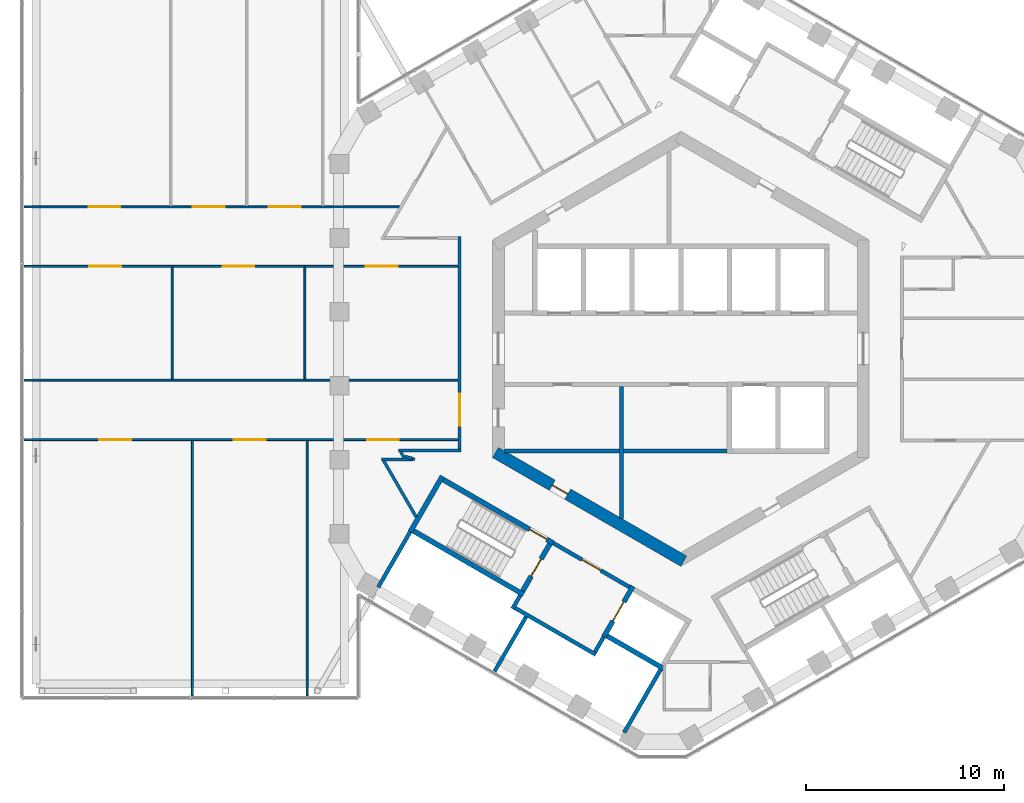
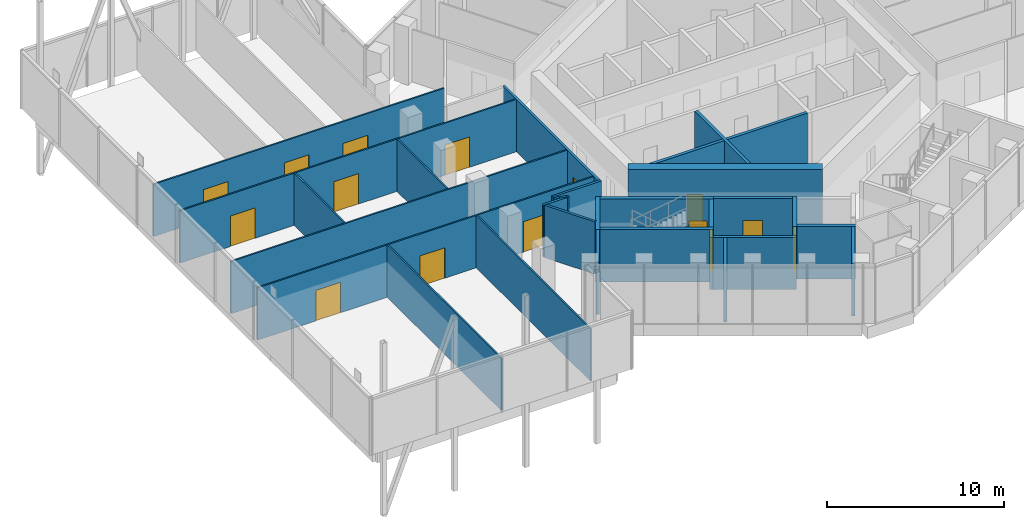
# One storey, part 15 of 21: 31 walls, 15 doors, 15 openings.
"""IFC4 building model written with IfcOpenShell, lengths in metres."""

from ifc_helpers import new_model, si_unit, direction, frame, frame_2d, origin, place, context, subcontext, project, spatial, rectangle, extrude, material, layer, layer_set, type_object, element, fill, save


model = new_model("IFC4")

# Units and contexts
model_context = context("Model", 3, precision=1e-05, world=origin(), true_north=direction((0.0, 1.0)))
body_context = subcontext(model_context, "Body", "Model", "MODEL_VIEW")
ifc_project = project(units=[si_unit("LENGTHUNIT", "METRE"), si_unit("AREAUNIT", "SQUARE_METRE"), si_unit("VOLUMEUNIT", "CUBIC_METRE"), si_unit("PLANEANGLEUNIT", "RADIAN"), si_unit("MASSUNIT", "GRAM", prefix="KILO")], contexts=[model_context])

# Site, building, storey
site_placement = place(None, origin())
site = spatial("IfcSite", under=ifc_project, at=site_placement, CompositionType="ELEMENT")
building_placement = place(site_placement, origin())
building = spatial("IfcBuilding", under=site, at=building_placement, Name="Ayvan Gate Tower", CompositionType="ELEMENT")
storey_placement = place(building_placement, frame((0.0, 0.0, 206.10009765625)))
storey = spatial("IfcBuildingStorey", under=building, at=storey_placement, Name="L55", CompositionType="ELEMENT", Elevation=206.10009765625)

# Wall, opening, door
ifc_material_1 = material(Name="Concrete C60/75", Category="concrete")
ifc_layer_1 = layer(ifc_material_1, 0.60009765625)
ifc_layer_set_1 = layer_set([ifc_layer_1], Name="Concrete C60/75")
wall_type_1 = type_object("IfcWallType", Name="Core wall 600 C60/75", PredefinedType="SHEAR", material=ifc_layer_set_1)
wall_1_placement = place(storey_placement, frame((-9.35009765625, -5.22509765625, 0.0), z_axis=(0.0, 0.0, 1.0), x_axis=(0.866023993627, -0.500002442456, 0.0)))
wall_1 = element("IfcWall", 1, at=wall_1_placement, inside=storey, type_object=wall_type_1, Name="CORE-L55-4", PredefinedType="SHEAR", context=body_context, shape_type="SweptSolid", body=[
    extrude(rectangle(XDim=10.9697265625, YDim=0.60009765625, at=frame_2d((5.48486328125, 0.0))), origin(), (0.0, 0.0, 1.0), 4.0),
])
opening_1_placement = place(wall_1_placement, frame((3.31494140625, 0.0, 0.0)))
opening_1 = element("IfcOpeningElement", 2, at=opening_1_placement, cuts=wall_1, Name="Opening L55-D49", PredefinedType="OPENING", context=body_context, shape_type="SweptSolid", body=[
    extrude(rectangle(XDim=0.89990234375, YDim=2.10009765625, at=frame_2d((0.449951171875, 1.050048828125))), frame((0.0, 0.31005859375, 0.0), z_axis=(0.0, -1.0, 0.0), x_axis=(1.0, 0.0, 0.0)), (0.0, 0.0, 1.0), 0.6201171875),
])
ifc_material_2 = material(Name="Timber door leaf", Category="wood")
door_type_1 = type_object("IfcDoorType", Name="DT-900", OperationType="NOTDEFINED", PredefinedType="DOOR", material=ifc_material_2)
door_1_placement = place(opening_1_placement, origin())
door_1 = element("IfcDoor", 3, at=door_1_placement, inside=storey, type_object=door_type_1, Name="CD-L55-49", OperationType="SINGLE_SWING_RIGHT", OverallHeight=2.10009765625, OverallWidth=0.89990234375, PredefinedType="DOOR", context=body_context, shape_type="SweptSolid", body=[
    extrude(rectangle(XDim=0.89990234375, YDim=2.10009765625, at=frame_2d((0.449951171875, 1.050048828125))), frame((0.0, 0.02490234375, 0.0), z_axis=(0.0, -1.0, 0.0), x_axis=(1.0, 0.0, 0.0)), (0.0, 0.0, 1.0), 0.050048828125),
])
fill(opening_1, door_1)

# Walls
ifc_material_3 = material(Name="Plasterboard on steel stud", Category="steel")
ifc_layer_2 = layer(ifc_material_3, 0.14990234375)
ifc_layer_set_2 = layer_set([ifc_layer_2], Name="Plasterboard on steel stud")
wall_type_2 = type_object("IfcWallType", Name="WT-CORR-150", PredefinedType="PARTITIONING", material=ifc_layer_set_2)
wall_2_placement = place(storey_placement, frame((-15.093017578125, -5.583740234375, 0.0), z_axis=(0.0, 0.0, 1.0), x_axis=(1.0, 0.0, 0.0)))
element("IfcWall", 4, at=wall_2_placement, inside=storey, type_object=wall_type_2, Name="IW-L55-013", PredefinedType="PARTITIONING", context=body_context, shape_type="SweptSolid", body=[
    extrude(rectangle(XDim=1.556396484375, YDim=0.14990234375, at=frame_2d((0.7783203125, 0.0))), origin(), (0.0, 0.0, 1.0), 3.599853515625),
])
wall_3_placement = place(storey_placement, frame((-14.240478515625, -5.1337890625, 0.0), z_axis=(0.0, 0.0, 1.0), x_axis=(1.0, 0.0, 0.0)))
element("IfcWall", 5, at=wall_3_placement, inside=storey, type_object=wall_type_2, Name="IW-L55-014", PredefinedType="PARTITIONING", context=body_context, shape_type="SweptSolid", body=[
    extrude(rectangle(XDim=3.16552734375, YDim=0.14990234375, at=frame_2d((1.582763671875, 0.0))), origin(), (0.0, 0.0, 1.0), 3.599853515625),
])
wall_4_placement = place(storey_placement, frame((-13.96142578125, -5.472412109375, 0.0), z_axis=(0.0, 0.0, 1.0), x_axis=(-0.51651090313, 0.856280612269, 0.0)))
element("IfcWall", 6, at=wall_4_placement, inside=storey, type_object=wall_type_2, Name="IW-L55-015", PredefinedType="PARTITIONING", context=body_context, shape_type="SweptSolid", body=[
    extrude(rectangle(XDim=0.320556640625, YDim=0.14990234375, at=frame_2d((0.16015625, 0.0))), origin(), (0.0, 0.0, 1.0), 3.599853515625),
])
wall_5_placement = place(storey_placement, frame((-13.527099609375, -5.529296875, 0.0), z_axis=(0.0, 0.0, 1.0), x_axis=(-0.968736704431, 0.248091107232, 0.0)))
element("IfcWall", 7, at=wall_5_placement, inside=storey, type_object=wall_type_2, Name="IW-L55-017", PredefinedType="PARTITIONING", context=body_context, shape_type="SweptSolid", body=[
    extrude(rectangle(XDim=0.413330078125, YDim=0.14990234375, at=frame_2d((0.20654296875, 0.0))), origin(), (0.0, 0.0, 1.0), 3.599853515625),
])
wall_6_placement = place(storey_placement, frame((-13.415771484375, -5.576171875, 0.0), z_axis=(0.0, 0.0, 1.0), x_axis=(-0.968907106081, 0.247424776016, 0.0)))
element("IfcWall", 8, at=wall_6_placement, inside=storey, type_object=wall_type_2, Name="IW-L55-018", PredefinedType="PARTITIONING", context=body_context, shape_type="SweptSolid", body=[
    extrude(rectangle(XDim=0.117431640625, YDim=0.14990234375, at=frame_2d((0.05859375, 0.0))), origin(), (0.0, 0.0, 1.0), 3.599853515625),
])
wall_7_placement = place(storey_placement, frame((-13.34033203125, -8.489501953125, 0.0), z_axis=(0.0, 0.0, 1.0), x_axis=(-0.499997335587, 0.866026942079, 0.0)))
element("IfcWall", 9, at=wall_7_placement, inside=storey, type_object=wall_type_2, Name="IW-L55-019", PredefinedType="PARTITIONING", context=body_context, shape_type="SweptSolid", body=[
    extrude(rectangle(XDim=3.2802734375, YDim=0.14990234375, at=frame_2d((1.64013671875, 0.0))), origin(), (0.0, 0.0, 1.0), 3.599853515625),
])

# Wall, opening, door
wall_8_placement = place(storey_placement, frame((-11.14990234375, 5.65869140625, 0.0), z_axis=(0.0, 0.0, 1.0), x_axis=(0.0, -1.0, 0.0)))
wall_8 = element("IfcWall", 10, at=wall_8_placement, inside=storey, type_object=wall_type_2, Name="IW-L55-023", PredefinedType="PARTITIONING", context=body_context, shape_type="SweptSolid", body=[
    extrude(rectangle(XDim=10.71728515625, YDim=0.14990234375, at=frame_2d((5.358642578125, 0.0))), origin(), (0.0, 0.0, 1.0), 3.599853515625),
])
opening_2_placement = place(wall_8_placement, frame((7.93701171875, 0.0, 0.0)))
opening_2 = element("IfcOpeningElement", 11, at=opening_2_placement, cuts=wall_8, Name="Opening L55-D36", PredefinedType="OPENING", context=body_context, shape_type="SweptSolid", body=[
    extrude(rectangle(XDim=1.60009765625, YDim=2.10009765625, at=frame_2d((0.800048828125, 1.050048828125))), frame((0.0, 0.0849609375, 0.0), z_axis=(0.0, -1.0, 0.0), x_axis=(1.0, 0.0, 0.0)), (0.0, 0.0, 1.0), 0.169921875),
])
door_type_2 = type_object("IfcDoorType", Name="DT-1600", OperationType="NOTDEFINED", PredefinedType="DOOR", material=ifc_material_2)
door_2_placement = place(opening_2_placement, origin())
door_2 = element("IfcDoor", 12, at=door_2_placement, inside=storey, type_object=door_type_2, Name="ID-L55-036", OperationType="SINGLE_SWING_LEFT", OverallHeight=2.10009765625, OverallWidth=1.60009765625, PredefinedType="DOOR", context=body_context, shape_type="SweptSolid", body=[
    extrude(rectangle(XDim=1.60009765625, YDim=2.10009765625, at=frame_2d((0.800048828125, 1.050048828125))), frame((0.0, 0.02490234375, 0.0), z_axis=(0.0, -1.0, 0.0), x_axis=(1.0, 0.0, 0.0)), (0.0, 0.0, 1.0), 0.050048828125),
])
fill(opening_2, door_2)

# Wall
ifc_layer_3 = layer(ifc_material_3, 0.10009765625)
ifc_layer_set_3 = layer_set([ifc_layer_3], Name="Plasterboard on steel stud")
wall_type_3 = type_object("IfcWallType", Name="WT-PART-100", PredefinedType="PARTITIONING", material=ifc_layer_set_3)
wall_9_placement = place(storey_placement, frame((-33.120361328125, -1.578125, 0.0), z_axis=(0.0, 0.0, 1.0), x_axis=(1.0, 0.0, 0.0)))
element("IfcWall", 13, at=wall_9_placement, inside=storey, type_object=wall_type_3, Name="IW-L55-000", PredefinedType="PARTITIONING", context=body_context, shape_type="SweptSolid", body=[
    extrude(rectangle(XDim=21.895263671875, YDim=0.10009765625, at=frame_2d((10.94775390625, 0.0))), origin(), (0.0, 0.0, 1.0), 3.599853515625),
])

# Wall, openings, doors
wall_10_placement = place(storey_placement, frame((-33.120361328125, 7.163330078125, 0.0), z_axis=(0.0, 0.0, 1.0), x_axis=(1.0, 0.0, 0.0)))
wall_10 = element("IfcWall", 14, at=wall_10_placement, inside=storey, type_object=wall_type_3, Name="IW-L55-001", PredefinedType="PARTITIONING", context=body_context, shape_type="SweptSolid", body=[
    extrude(rectangle(XDim=18.939453125, YDim=0.10009765625, at=frame_2d((9.4697265625, 0.0))), origin(), (0.0, 0.0, 1.0), 3.599853515625),
])
opening_3_placement = place(wall_10_placement, frame((12.35009765625, 0.0, 0.0)))
opening_3 = element("IfcOpeningElement", 15, at=opening_3_placement, cuts=wall_10, Name="Opening L55-D38", PredefinedType="OPENING", context=body_context, shape_type="SweptSolid", body=[
    extrude(rectangle(XDim=1.60009765625, YDim=2.10009765625, at=frame_2d((0.800048828125, 1.050048828125))), frame((0.0, 0.06005859375, 0.0), z_axis=(0.0, -1.0, 0.0), x_axis=(1.0, 0.0, 0.0)), (0.0, 0.0, 1.0), 0.1201171875),
])
opening_4_placement = place(wall_10_placement, frame((8.516357421875, 0.0, 0.0)))
opening_4 = element("IfcOpeningElement", 16, at=opening_4_placement, cuts=wall_10, Name="Opening L55-D39", PredefinedType="OPENING", context=body_context, shape_type="SweptSolid", body=[
    extrude(rectangle(XDim=1.60009765625, YDim=2.10009765625, at=frame_2d((0.800048828125, 1.050048828125))), frame((0.0, 0.06005859375, 0.0), z_axis=(0.0, -1.0, 0.0), x_axis=(1.0, 0.0, 0.0)), (0.0, 0.0, 1.0), 0.1201171875),
])
opening_5_placement = place(wall_10_placement, frame((3.2578125, 0.0, 0.0)))
opening_5 = element("IfcOpeningElement", 17, at=opening_5_placement, cuts=wall_10, Name="Opening L55-D40", PredefinedType="OPENING", context=body_context, shape_type="SweptSolid", body=[
    extrude(rectangle(XDim=1.60009765625, YDim=2.10009765625, at=frame_2d((0.800048828125, 1.050048828125))), frame((0.0, 0.06005859375, 0.0), z_axis=(0.0, -1.0, 0.0), x_axis=(1.0, 0.0, 0.0)), (0.0, 0.0, 1.0), 0.1201171875),
])
door_3_placement = place(opening_3_placement, origin())
door_3 = element("IfcDoor", 18, at=door_3_placement, inside=storey, type_object=door_type_2, Name="ID-L55-038", OperationType="SINGLE_SWING_LEFT", OverallHeight=2.10009765625, OverallWidth=1.60009765625, PredefinedType="DOOR", context=body_context, shape_type="SweptSolid", body=[
    extrude(rectangle(XDim=1.60009765625, YDim=2.10009765625, at=frame_2d((0.800048828125, 1.050048828125))), frame((0.0, 0.02490234375, 0.0), z_axis=(0.0, -1.0, 0.0), x_axis=(1.0, 0.0, 0.0)), (0.0, 0.0, 1.0), 0.050048828125),
])
fill(opening_3, door_3)
door_4_placement = place(opening_4_placement, origin())
door_4 = element("IfcDoor", 19, at=door_4_placement, inside=storey, type_object=door_type_2, Name="ID-L55-039", OperationType="SINGLE_SWING_RIGHT", OverallHeight=2.10009765625, OverallWidth=1.60009765625, PredefinedType="DOOR", context=body_context, shape_type="SweptSolid", body=[
    extrude(rectangle(XDim=1.60009765625, YDim=2.10009765625, at=frame_2d((0.800048828125, 1.050048828125))), frame((0.0, 0.02490234375, 0.0), z_axis=(0.0, -1.0, 0.0), x_axis=(1.0, 0.0, 0.0)), (0.0, 0.0, 1.0), 0.050048828125),
])
fill(opening_4, door_4)
door_5_placement = place(opening_5_placement, origin())
door_5 = element("IfcDoor", 20, at=door_5_placement, inside=storey, type_object=door_type_2, Name="ID-L55-040", OperationType="SINGLE_SWING_LEFT", OverallHeight=2.10009765625, OverallWidth=1.60009765625, PredefinedType="DOOR", context=body_context, shape_type="SweptSolid", body=[
    extrude(rectangle(XDim=1.60009765625, YDim=2.10009765625, at=frame_2d((0.800048828125, 1.050048828125))), frame((0.0, 0.02490234375, 0.0), z_axis=(0.0, -1.0, 0.0), x_axis=(1.0, 0.0, 0.0)), (0.0, 0.0, 1.0), 0.050048828125),
])
fill(opening_5, door_5)

# Wall
wall_11_placement = place(storey_placement, frame((-25.6474609375, -1.5283203125, 0.0), z_axis=(0.0, 0.0, 1.0), x_axis=(0.0, 1.0, 0.0)))
element("IfcWall", 21, at=wall_11_placement, inside=storey, type_object=wall_type_3, Name="IW-L55-003", PredefinedType="PARTITIONING", context=body_context, shape_type="SweptSolid", body=[
    extrude(rectangle(XDim=5.6416015625, YDim=0.10009765625, at=frame_2d((2.82080078125, 0.0))), origin(), (0.0, 0.0, 1.0), 3.599853515625),
])

# Wall, openings, doors
wall_12_placement = place(storey_placement, frame((-33.120361328125, 4.163330078125, 0.0), z_axis=(0.0, 0.0, 1.0), x_axis=(1.0, 0.0, 0.0)))
wall_12 = element("IfcWall", 22, at=wall_12_placement, inside=storey, type_object=wall_type_3, Name="IW-L55-004", PredefinedType="PARTITIONING", context=body_context, shape_type="SweptSolid", body=[
    extrude(rectangle(XDim=21.895263671875, YDim=0.10009765625, at=frame_2d((10.94775390625, 0.0))), origin(), (0.0, 0.0, 1.0), 3.599853515625),
])
opening_6_placement = place(wall_12_placement, frame((17.244140625, 0.0, 0.0)))
opening_6 = element("IfcOpeningElement", 23, at=opening_6_placement, cuts=wall_12, Name="Opening L55-D44", PredefinedType="OPENING", context=body_context, shape_type="SweptSolid", body=[
    extrude(rectangle(XDim=1.60009765625, YDim=2.10009765625, at=frame_2d((0.800048828125, 1.050048828125))), frame((0.0, 0.06005859375, 0.0), z_axis=(0.0, -1.0, 0.0), x_axis=(1.0, 0.0, 0.0)), (0.0, 0.0, 1.0), 0.1201171875),
])
opening_7_placement = place(wall_12_placement, frame((10.017822265625, 0.0, 0.0)))
opening_7 = element("IfcOpeningElement", 24, at=opening_7_placement, cuts=wall_12, Name="Opening L55-D45", PredefinedType="OPENING", context=body_context, shape_type="SweptSolid", body=[
    extrude(rectangle(XDim=1.60009765625, YDim=2.10009765625, at=frame_2d((0.800048828125, 1.050048828125))), frame((0.0, 0.06005859375, 0.0), z_axis=(0.0, -1.0, 0.0), x_axis=(1.0, 0.0, 0.0)), (0.0, 0.0, 1.0), 0.1201171875),
])
opening_8_placement = place(wall_12_placement, frame((3.29443359375, 0.0, 0.0)))
opening_8 = element("IfcOpeningElement", 25, at=opening_8_placement, cuts=wall_12, Name="Opening L55-D46", PredefinedType="OPENING", context=body_context, shape_type="SweptSolid", body=[
    extrude(rectangle(XDim=1.60009765625, YDim=2.10009765625, at=frame_2d((0.800048828125, 1.050048828125))), frame((0.0, 0.06005859375, 0.0), z_axis=(0.0, -1.0, 0.0), x_axis=(1.0, 0.0, 0.0)), (0.0, 0.0, 1.0), 0.1201171875),
])
door_6_placement = place(opening_6_placement, origin())
door_6 = element("IfcDoor", 26, at=door_6_placement, inside=storey, type_object=door_type_2, Name="ID-L55-044", OperationType="SINGLE_SWING_LEFT", OverallHeight=2.10009765625, OverallWidth=1.60009765625, PredefinedType="DOOR", context=body_context, shape_type="SweptSolid", body=[
    extrude(rectangle(XDim=1.60009765625, YDim=2.10009765625, at=frame_2d((0.800048828125, 1.050048828125))), frame((0.0, 0.02490234375, 0.0), z_axis=(0.0, -1.0, 0.0), x_axis=(1.0, 0.0, 0.0)), (0.0, 0.0, 1.0), 0.050048828125),
])
fill(opening_6, door_6)
door_7_placement = place(opening_7_placement, origin())
door_7 = element("IfcDoor", 27, at=door_7_placement, inside=storey, type_object=door_type_2, Name="ID-L55-045", OperationType="SINGLE_SWING_RIGHT", OverallHeight=2.10009765625, OverallWidth=1.60009765625, PredefinedType="DOOR", context=body_context, shape_type="SweptSolid", body=[
    extrude(rectangle(XDim=1.60009765625, YDim=2.10009765625, at=frame_2d((0.800048828125, 1.050048828125))), frame((0.0, 0.02490234375, 0.0), z_axis=(0.0, -1.0, 0.0), x_axis=(1.0, 0.0, 0.0)), (0.0, 0.0, 1.0), 0.050048828125),
])
fill(opening_7, door_7)
door_8_placement = place(opening_8_placement, origin())
door_8 = element("IfcDoor", 28, at=door_8_placement, inside=storey, type_object=door_type_2, Name="ID-L55-046", OperationType="SINGLE_SWING_LEFT", OverallHeight=2.10009765625, OverallWidth=1.60009765625, PredefinedType="DOOR", context=body_context, shape_type="SweptSolid", body=[
    extrude(rectangle(XDim=1.60009765625, YDim=2.10009765625, at=frame_2d((0.800048828125, 1.050048828125))), frame((0.0, 0.02490234375, 0.0), z_axis=(0.0, -1.0, 0.0), x_axis=(1.0, 0.0, 0.0)), (0.0, 0.0, 1.0), 0.050048828125),
])
fill(opening_8, door_8)

# Wall
wall_13_placement = place(storey_placement, frame((-24.635986328125, -17.49609375, 0.0), z_axis=(0.0, 0.0, 1.0), x_axis=(0.0, 1.0, 0.0)))
element("IfcWall", 29, at=wall_13_placement, inside=storey, type_object=wall_type_3, Name="IW-L55-005", PredefinedType="PARTITIONING", context=body_context, shape_type="SweptSolid", body=[
    extrude(rectangle(XDim=12.867919921875, YDim=0.10009765625, at=frame_2d((6.43408203125, 0.0))), origin(), (0.0, 0.0, 1.0), 3.599853515625),
])

# Wall, openings, doors
wall_14_placement = place(storey_placement, frame((-33.120361328125, -4.578125, 0.0), z_axis=(0.0, 0.0, 1.0), x_axis=(1.0, 0.0, 0.0)))
wall_14 = element("IfcWall", 30, at=wall_14_placement, inside=storey, type_object=wall_type_3, Name="IW-L55-006", PredefinedType="PARTITIONING", context=body_context, shape_type="SweptSolid", body=[
    extrude(rectangle(XDim=21.895263671875, YDim=0.10009765625, at=frame_2d((10.94775390625, 0.0))), origin(), (0.0, 0.0, 1.0), 3.599853515625),
])
opening_9_placement = place(wall_14_placement, frame((17.30224609375, 0.0, 0.0)))
opening_9 = element("IfcOpeningElement", 31, at=opening_9_placement, cuts=wall_14, Name="Opening L55-D41", PredefinedType="OPENING", context=body_context, shape_type="SweptSolid", body=[
    extrude(rectangle(XDim=1.60009765625, YDim=2.10009765625, at=frame_2d((0.800048828125, 1.050048828125))), frame((0.0, 0.06005859375, 0.0), z_axis=(0.0, -1.0, 0.0), x_axis=(1.0, 0.0, 0.0)), (0.0, 0.0, 1.0), 0.1201171875),
])
opening_10_placement = place(wall_14_placement, frame((10.58154296875, 0.0, 0.0)))
opening_10 = element("IfcOpeningElement", 32, at=opening_10_placement, cuts=wall_14, Name="Opening L55-D42", PredefinedType="OPENING", context=body_context, shape_type="SweptSolid", body=[
    extrude(rectangle(XDim=1.60009765625, YDim=2.10009765625, at=frame_2d((0.800048828125, 1.050048828125))), frame((0.0, 0.06005859375, 0.0), z_axis=(0.0, -1.0, 0.0), x_axis=(1.0, 0.0, 0.0)), (0.0, 0.0, 1.0), 0.1201171875),
])
opening_11_placement = place(wall_14_placement, frame((3.800048828125, 0.0, 0.0)))
opening_11 = element("IfcOpeningElement", 33, at=opening_11_placement, cuts=wall_14, Name="Opening L55-D43", PredefinedType="OPENING", context=body_context, shape_type="SweptSolid", body=[
    extrude(rectangle(XDim=1.60009765625, YDim=2.10009765625, at=frame_2d((0.800048828125, 1.050048828125))), frame((0.0, 0.06005859375, 0.0), z_axis=(0.0, -1.0, 0.0), x_axis=(1.0, 0.0, 0.0)), (0.0, 0.0, 1.0), 0.1201171875),
])
door_9_placement = place(opening_9_placement, origin())
door_9 = element("IfcDoor", 34, at=door_9_placement, inside=storey, type_object=door_type_2, Name="ID-L55-041", OperationType="SINGLE_SWING_RIGHT", OverallHeight=2.10009765625, OverallWidth=1.60009765625, PredefinedType="DOOR", context=body_context, shape_type="SweptSolid", body=[
    extrude(rectangle(XDim=1.60009765625, YDim=2.10009765625, at=frame_2d((0.800048828125, 1.050048828125))), frame((0.0, 0.02490234375, 0.0), z_axis=(0.0, -1.0, 0.0), x_axis=(1.0, 0.0, 0.0)), (0.0, 0.0, 1.0), 0.050048828125),
])
fill(opening_9, door_9)
door_10_placement = place(opening_10_placement, origin())
door_10 = element("IfcDoor", 35, at=door_10_placement, inside=storey, type_object=door_type_2, Name="ID-L55-042", OperationType="SINGLE_SWING_LEFT", OverallHeight=2.10009765625, OverallWidth=1.60009765625, PredefinedType="DOOR", context=body_context, shape_type="SweptSolid", body=[
    extrude(rectangle(XDim=1.60009765625, YDim=2.10009765625, at=frame_2d((0.800048828125, 1.050048828125))), frame((0.0, 0.02490234375, 0.0), z_axis=(0.0, -1.0, 0.0), x_axis=(1.0, 0.0, 0.0)), (0.0, 0.0, 1.0), 0.050048828125),
])
fill(opening_10, door_10)
door_11_placement = place(opening_11_placement, origin())
door_11 = element("IfcDoor", 36, at=door_11_placement, inside=storey, type_object=door_type_2, Name="ID-L55-043", OperationType="SINGLE_SWING_RIGHT", OverallHeight=2.10009765625, OverallWidth=1.60009765625, PredefinedType="DOOR", context=body_context, shape_type="SweptSolid", body=[
    extrude(rectangle(XDim=1.60009765625, YDim=2.10009765625, at=frame_2d((0.800048828125, 1.050048828125))), frame((0.0, 0.02490234375, 0.0), z_axis=(0.0, -1.0, 0.0), x_axis=(1.0, 0.0, 0.0)), (0.0, 0.0, 1.0), 0.050048828125),
])
fill(opening_11, door_11)

# Walls
wall_15_placement = place(storey_placement, frame((-18.957275390625, -1.5283203125, 0.0), z_axis=(0.0, 0.0, 1.0), x_axis=(0.0, 1.0, 0.0)))
element("IfcWall", 37, at=wall_15_placement, inside=storey, type_object=wall_type_3, Name="IW-L55-008", PredefinedType="PARTITIONING", context=body_context, shape_type="SweptSolid", body=[
    extrude(rectangle(XDim=5.6416015625, YDim=0.10009765625, at=frame_2d((2.82080078125, 0.0))), origin(), (0.0, 0.0, 1.0), 3.599853515625),
])
wall_16_placement = place(storey_placement, frame((-18.84130859375, -17.49609375, 0.0), z_axis=(0.0, 0.0, 1.0), x_axis=(0.0, 1.0, 0.0)))
element("IfcWall", 38, at=wall_16_placement, inside=storey, type_object=wall_type_3, Name="IW-L55-009", PredefinedType="PARTITIONING", context=body_context, shape_type="SweptSolid", body=[
    extrude(rectangle(XDim=12.867919921875, YDim=0.10009765625, at=frame_2d((6.43408203125, 0.0))), origin(), (0.0, 0.0, 1.0), 3.599853515625),
])
ifc_layer_4 = layer(ifc_material_3, 0.199951171875)
ifc_layer_set_4 = layer_set([ifc_layer_4], Name="Plasterboard on steel stud")
wall_type_4 = type_object("IfcWallType", Name="WT-PLUMB-200", PredefinedType="PLUMBINGWALL", material=ifc_layer_set_4)
wall_17_placement = place(storey_placement, frame((-15.253662109375, -12.020263671875, 0.0), z_axis=(0.0, 0.0, 1.0), x_axis=(0.499957148214, 0.866050142861, 0.0)))
element("IfcWall", 39, at=wall_17_placement, inside=storey, type_object=wall_type_4, Name="IW-L55-011", PredefinedType="PLUMBINGWALL", context=body_context, shape_type="SweptSolid", body=[
    extrude(rectangle(XDim=3.211669921875, YDim=0.199951171875, at=frame_2d((1.60595703125, 0.0))), origin(), (0.0, 0.0, 1.0), 3.599853515625),
])
wall_18_placement = place(storey_placement, frame((-8.492919921875, -13.110107421875, 0.0), z_axis=(0.0, 0.0, 1.0), x_axis=(0.500067724834, 0.865986299303, 0.0)))
element("IfcWall", 40, at=wall_18_placement, inside=storey, type_object=wall_type_4, Name="IW-L55-028", PredefinedType="PLUMBINGWALL", context=body_context, shape_type="SweptSolid", body=[
    extrude(rectangle(XDim=0.775390625, YDim=0.199951171875, at=frame_2d((0.3876953125, 0.0))), origin(), (0.0, 0.0, 1.0), 3.599853515625),
])
wall_19_placement = place(storey_placement, frame((-7.800048828125, -13.510009765625, 0.0), z_axis=(0.0, 0.0, 1.0), x_axis=(-0.500016846771, -0.866015677078, 0.0)))
element("IfcWall", 41, at=wall_19_placement, inside=storey, type_object=wall_type_4, Name="IW-L55-030", PredefinedType="PLUMBINGWALL", context=body_context, shape_type="SweptSolid", body=[
    extrude(rectangle(XDim=3.1826171875, YDim=0.199951171875, at=frame_2d((1.59130859375, 0.0))), origin(), (0.0, 0.0, 1.0), 3.599853515625),
])
wall_20_placement = place(storey_placement, frame((-8.356201171875, -13.073486328125, 0.0), z_axis=(0.0, 0.0, 1.0), x_axis=(0.866038532462, -0.499977259774, 0.0)))
element("IfcWall", 42, at=wall_20_placement, inside=storey, type_object=wall_type_4, Name="IW-L55-031", PredefinedType="PLUMBINGWALL", context=body_context, shape_type="SweptSolid", body=[
    extrude(rectangle(XDim=4.699951171875, YDim=0.199951171875, at=frame_2d((2.35009765625, 0.0))), origin(), (0.0, 0.0, 1.0), 3.599853515625),
])
wall_21_placement = place(storey_placement, frame((-3.885009765625, -14.52880859375, 0.0), z_axis=(0.0, 0.0, 1.0), x_axis=(-0.499859285417, -0.866106630146, 0.0)))
element("IfcWall", 43, at=wall_21_placement, inside=storey, type_object=wall_type_4, Name="IW-L55-041", PredefinedType="PLUMBINGWALL", context=body_context, shape_type="SweptSolid", body=[
    extrude(rectangle(XDim=0.875244140625, YDim=0.199951171875, at=frame_2d((0.4375, 0.0))), origin(), (0.0, 0.0, 1.0), 3.599853515625),
])
wall_22_placement = place(storey_placement, frame((-1.027099609375, -16.178955078125, 0.0), z_axis=(0.0, 0.0, 1.0), x_axis=(-0.499989866495, -0.866031254287, 0.0)))
element("IfcWall", 44, at=wall_22_placement, inside=storey, type_object=wall_type_4, Name="IW-L55-052", PredefinedType="PLUMBINGWALL", context=body_context, shape_type="SweptSolid", body=[
    extrude(rectangle(XDim=3.66162109375, YDim=0.199951171875, at=frame_2d((1.830810546875, 0.0))), origin(), (0.0, 0.0, 1.0), 3.599853515625),
])
ifc_layer_5 = layer(ifc_material_3, 0.199951171875)
ifc_layer_set_5 = layer_set([ifc_layer_5], Name="Plasterboard on steel stud")
wall_type_5 = type_object("IfcWallType", Name="WT-RATED-200", PredefinedType="PARTITIONING", material=ifc_layer_set_5)
wall_23_placement = place(storey_placement, frame((-8.8798828125, -5.14990234375, 0.0), z_axis=(0.0, 0.0, 1.0), x_axis=(1.0, 0.0, 0.0)))
element("IfcWall", 45, at=wall_23_placement, inside=storey, type_object=wall_type_5, Name="IW-L55-027", PredefinedType="PARTITIONING", context=body_context, shape_type="SweptSolid", body=[
    extrude(rectangle(XDim=11.205078125, YDim=0.199951171875, at=frame_2d((5.6025390625, 0.0))), origin(), (0.0, 0.0, 1.0), 3.599853515625),
])

# Wall, opening, door
wall_24_placement = place(storey_placement, frame((-6.4345703125, -9.794921875, 0.0), z_axis=(0.0, 0.0, 1.0), x_axis=(0.866012907634, -0.500021643343, 0.0)))
wall_24 = element("IfcWall", 46, at=wall_24_placement, inside=storey, type_object=wall_type_5, Name="IW-L55-037", PredefinedType="PARTITIONING", context=body_context, shape_type="SweptSolid", body=[
    extrude(rectangle(XDim=4.449951171875, YDim=0.199951171875, at=frame_2d((2.22509765625, 0.0))), origin(), (0.0, 0.0, 1.0), 3.599853515625),
])
opening_12_placement = place(wall_24_placement, frame((1.675048828125, 0.0, 0.0)))
opening_12 = element("IfcOpeningElement", 47, at=opening_12_placement, cuts=wall_24, Name="Opening L55-D16", PredefinedType="OPENING", context=body_context, shape_type="SweptSolid", body=[
    extrude(rectangle(XDim=1.10009765625, YDim=2.10009765625, at=frame_2d((0.550048828125, 1.050048828125))), frame((0.0, 0.10986328125, 0.0), z_axis=(0.0, -1.0, 0.0), x_axis=(1.0, 0.0, 0.0)), (0.0, 0.0, 1.0), 0.219970703125),
])
door_type_3 = type_object("IfcDoorType", Name="DT-1100", OperationType="NOTDEFINED", PredefinedType="DOOR", material=ifc_material_2)
door_12_placement = place(opening_12_placement, origin())
door_12 = element("IfcDoor", 48, at=door_12_placement, inside=storey, type_object=door_type_3, Name="ID-L55-016", OperationType="SINGLE_SWING_LEFT", OverallHeight=2.10009765625, OverallWidth=1.10009765625, PredefinedType="DOOR", context=body_context, shape_type="SweptSolid", body=[
    extrude(rectangle(XDim=1.10009765625, YDim=2.10009765625, at=frame_2d((0.550048828125, 1.050048828125))), frame((0.0, 0.02490234375, 0.0), z_axis=(0.0, -1.0, 0.0), x_axis=(1.0, 0.0, 0.0)), (0.0, 0.0, 1.0), 0.050048828125),
])
fill(opening_12, door_12)

# Walls
wall_25_placement = place(storey_placement, frame((-3.0, -8.544921875, 0.0), z_axis=(0.0, 0.0, 1.0), x_axis=(0.0, 1.0, 0.0)))
element("IfcWall", 49, at=wall_25_placement, inside=storey, type_object=wall_type_5, Name="IW-L55-044", PredefinedType="PARTITIONING", context=body_context, shape_type="SweptSolid", body=[
    extrude(rectangle(XDim=6.64501953125, YDim=0.199951171875, at=frame_2d((3.322509765625, 0.0))), origin(), (0.0, 0.0, 1.0), 3.599853515625),
])
ifc_material_4 = material(Name="Concrete C50/60", Category="concrete")
ifc_layer_6 = layer(ifc_material_4, 0.25)
ifc_layer_set_6 = layer_set([ifc_layer_6], Name="Concrete C50/60")
wall_type_6 = type_object("IfcWallType", Name="WT-RC-250", PredefinedType="SHEAR", material=ifc_layer_set_6)
wall_26_placement = place(storey_placement, frame((-13.64794921875, -9.23876953125, 0.0), z_axis=(0.0, 0.0, 1.0), x_axis=(0.500017246033, 0.866015446554, 0.0)))
element("IfcWall", 50, at=wall_26_placement, inside=storey, type_object=wall_type_6, Name="IW-L55-016", PredefinedType="SHEAR", context=body_context, shape_type="SweptSolid", body=[
    extrude(rectangle(XDim=3.25, YDim=0.25, at=frame_2d((1.625, 0.0))), origin(), (0.0, 0.0, 1.0), 3.599853515625),
])

# Wall, opening, door
wall_27_placement = place(storey_placement, frame((-11.97705078125, -6.594970703125, 0.0), z_axis=(0.0, 0.0, 1.0), x_axis=(0.866025499775, -0.499999833739, 0.0)))
wall_27 = element("IfcWall", 51, at=wall_27_placement, inside=storey, type_object=wall_type_6, Name="IW-L55-020", PredefinedType="SHEAR", context=body_context, shape_type="SweptSolid", body=[
    extrude(rectangle(XDim=6.39990234375, YDim=0.25, at=frame_2d((3.199951171875, 0.0))), origin(), (0.0, 0.0, 1.0), 3.599853515625),
])
opening_13_placement = place(wall_27_placement, frame((5.02490234375, 0.0, 0.0)))
opening_13 = element("IfcOpeningElement", 52, at=opening_13_placement, cuts=wall_27, Name="Opening L55-D14", PredefinedType="OPENING", context=body_context, shape_type="SweptSolid", body=[
    extrude(rectangle(XDim=1.0, YDim=2.10009765625, at=frame_2d((0.5, 1.050048828125))), frame((0.0, 0.135009765625, 0.0), z_axis=(0.0, -1.0, 0.0), x_axis=(1.0, 0.0, 0.0)), (0.0, 0.0, 1.0), 0.27001953125),
])
door_type_4 = type_object("IfcDoorType", Name="DT-1000", OperationType="NOTDEFINED", PredefinedType="DOOR", material=ifc_material_2)
door_13_placement = place(opening_13_placement, origin())
door_13 = element("IfcDoor", 53, at=door_13_placement, inside=storey, type_object=door_type_4, Name="ID-L55-014", OperationType="SINGLE_SWING_LEFT", OverallHeight=2.10009765625, OverallWidth=1.0, PredefinedType="DOOR", context=body_context, shape_type="SweptSolid", body=[
    extrude(rectangle(XDim=1.0, YDim=2.10009765625, at=frame_2d((0.5, 1.050048828125))), frame((0.0, 0.02490234375, 0.0), z_axis=(0.0, -1.0, 0.0), x_axis=(1.0, 0.0, 0.0)), (0.0, 0.0, 1.0), 0.050048828125),
])
fill(opening_13, door_13)

# Wall
wall_28_placement = place(storey_placement, frame((-7.9345703125, -12.39306640625, 0.0), z_axis=(0.0, 0.0, 1.0), x_axis=(-0.866025499775, 0.499999833739, 0.0)))
element("IfcWall", 54, at=wall_28_placement, inside=storey, type_object=wall_type_6, Name="IW-L55-029", PredefinedType="SHEAR", context=body_context, shape_type="SweptSolid", body=[
    extrude(rectangle(XDim=6.39990234375, YDim=0.25, at=frame_2d((3.199951171875, 0.0))), origin(), (0.0, 0.0, 1.0), 3.599853515625),
])

# Wall, opening, door
wall_29_placement = place(storey_placement, frame((-6.605224609375, -9.8408203125, 0.0), z_axis=(0.0, 0.0, 1.0), x_axis=(-0.499996545922, -0.866027397988, 0.0)))
wall_29 = element("IfcWall", 55, at=wall_29_placement, inside=storey, type_object=wall_type_6, Name="IW-L55-036", PredefinedType="SHEAR", context=body_context, shape_type="SweptSolid", body=[
    extrude(rectangle(XDim=2.75, YDim=0.25, at=frame_2d((1.375, 0.0))), origin(), (0.0, 0.0, 1.0), 3.599853515625),
])
opening_14_placement = place(wall_29_placement, frame((0.875, 0.0, 0.0)))
opening_14 = element("IfcOpeningElement", 56, at=opening_14_placement, cuts=wall_29, Name="Opening L55-D15", PredefinedType="OPENING", context=body_context, shape_type="SweptSolid", body=[
    extrude(rectangle(XDim=1.0, YDim=2.10009765625, at=frame_2d((0.5, 1.050048828125))), frame((0.0, 0.135009765625, 0.0), z_axis=(0.0, -1.0, 0.0), x_axis=(1.0, 0.0, 0.0)), (0.0, 0.0, 1.0), 0.27001953125),
])
door_14_placement = place(opening_14_placement, origin())
door_14 = element("IfcDoor", 57, at=door_14_placement, inside=storey, type_object=door_type_4, Name="ID-L55-015", OperationType="SINGLE_SWING_RIGHT", OverallHeight=2.10009765625, OverallWidth=1.0, PredefinedType="DOOR", context=body_context, shape_type="SweptSolid", body=[
    extrude(rectangle(XDim=1.0, YDim=2.10009765625, at=frame_2d((0.5, 1.050048828125))), frame((0.0, 0.02490234375, 0.0), z_axis=(0.0, -1.0, 0.0), x_axis=(1.0, 0.0, 0.0)), (0.0, 0.0, 1.0), 0.050048828125),
])
fill(opening_14, door_14)

wall_30_placement = place(storey_placement, frame((-2.409912109375, -11.97412109375, 0.0), z_axis=(0.0, 0.0, 1.0), x_axis=(-0.500001826776, -0.866024349092, 0.0)))
wall_30 = element("IfcWall", 58, at=wall_30_placement, inside=storey, type_object=wall_type_6, Name="IW-L55-047", PredefinedType="SHEAR", context=body_context, shape_type="SweptSolid", body=[
    extrude(rectangle(XDim=2.9501953125, YDim=0.25, at=frame_2d((1.47509765625, 0.0))), origin(), (0.0, 0.0, 1.0), 3.599853515625),
])
opening_15_placement = place(wall_30_placement, frame((0.925048828125, 0.0, 0.0)))
opening_15 = element("IfcOpeningElement", 59, at=opening_15_placement, cuts=wall_30, Name="Opening L55-LD-FF2", PredefinedType="OPENING", context=body_context, shape_type="SweptSolid", body=[
    extrude(rectangle(XDim=1.10009765625, YDim=2.10009765625, at=frame_2d((0.550048828125, 1.050048828125))), frame((0.0, 0.135009765625, 0.0), z_axis=(0.0, -1.0, 0.0), x_axis=(1.0, 0.0, 0.0)), (0.0, 0.0, 1.0), 0.27001953125),
])
ifc_material_5 = material(Name="Stainless steel landing door", Category="steel")
door_type_5 = type_object("IfcDoorType", Name="DT-LANDING-1100", OperationType="SLIDING_TO_LEFT", PredefinedType="DOOR", material=ifc_material_5)
door_15_placement = place(opening_15_placement, origin())
door_15 = element("IfcDoor", 60, at=door_15_placement, inside=storey, type_object=door_type_5, Name="ID-L55-017", OperationType="SLIDING_TO_LEFT", OverallHeight=2.10009765625, OverallWidth=1.10009765625, PredefinedType="DOOR", context=body_context, shape_type="SweptSolid", body=[
    extrude(rectangle(XDim=1.10009765625, YDim=2.10009765625, at=frame_2d((0.550048828125, 1.050048828125))), frame((0.0, 0.02490234375, 0.0), z_axis=(0.0, -1.0, 0.0), x_axis=(1.0, 0.0, 0.0)), (0.0, 0.0, 1.0), 0.050048828125),
])
fill(opening_15, door_15)

# Wall
wall_31_placement = place(storey_placement, frame((-0.8564453125, -16.13330078125, 0.0), z_axis=(0.0, 0.0, 1.0), x_axis=(-0.866021716278, 0.500006386895, 0.0)))
element("IfcWall", 61, at=wall_31_placement, inside=storey, type_object=wall_type_6, Name="IW-L55-051", PredefinedType="SHEAR", context=body_context, shape_type="SweptSolid", body=[
    extrude(rectangle(XDim=3.2998046875, YDim=0.25, at=frame_2d((1.64990234375, 0.0))), origin(), (0.0, 0.0, 1.0), 3.599853515625),
])

save(model, "model.ifc")
